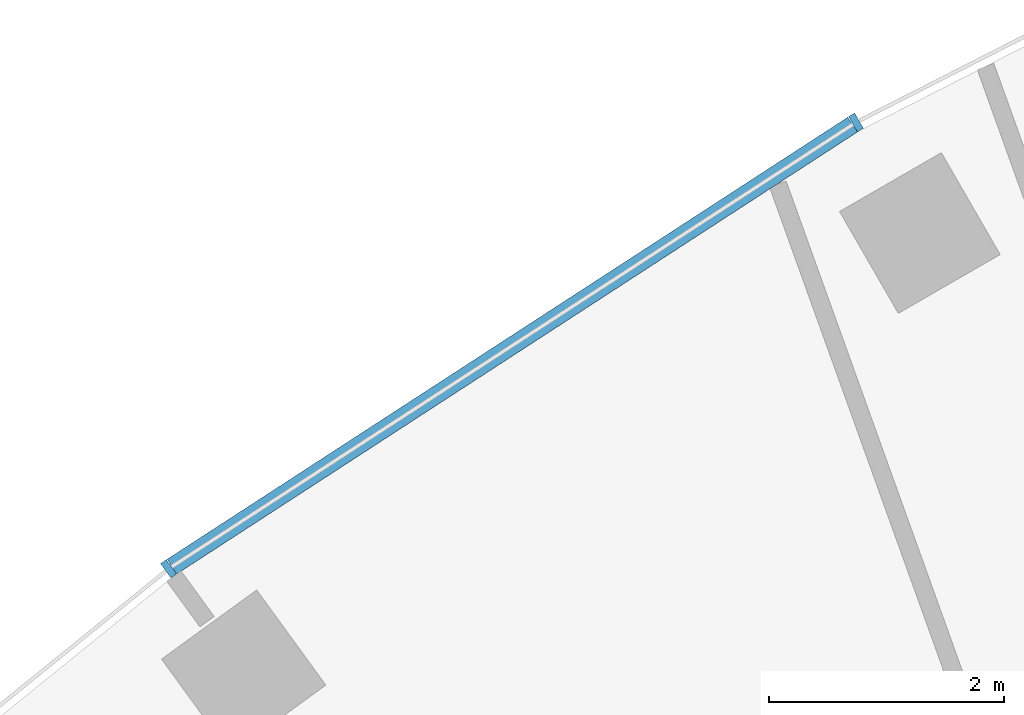
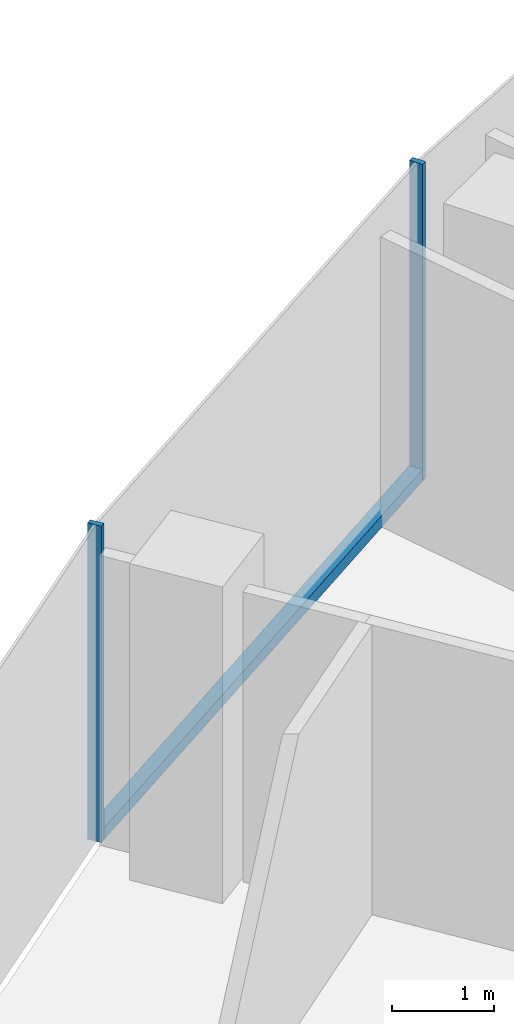
# One storey, part 4 of 20: 3 members, 1 element without a shape of its own.
"""IFC4 building model written with IfcOpenShell, lengths in metres."""

from ifc_helpers import new_model, si_unit, direction, frame, origin, origin_2d, place, context, subcontext, project, spatial, rectangle, extrude, material, layer, layer_set, material_profile, profile_set, type_object, element, aggregate, save


model = new_model("IFC4")

# Units and contexts
model_context = context("Model", 3, precision=1e-05, world=origin(), true_north=direction((0.0, 1.0)))
body_context = subcontext(model_context, "Body", "Model", "MODEL_VIEW")
ifc_project = project(units=[si_unit("LENGTHUNIT", "METRE"), si_unit("AREAUNIT", "SQUARE_METRE"), si_unit("VOLUMEUNIT", "CUBIC_METRE"), si_unit("PLANEANGLEUNIT", "RADIAN"), si_unit("MASSUNIT", "GRAM", prefix="KILO")], contexts=[model_context])

# Site, building, storey
site_placement = place(None, origin())
site = spatial("IfcSite", under=ifc_project, at=site_placement, CompositionType="ELEMENT")
building_placement = place(site_placement, origin())
building = spatial("IfcBuilding", under=site, at=building_placement, Name="Stone Belt Terrace Tower", CompositionType="ELEMENT")
storey_placement = place(building_placement, frame((0.0, 0.0, 170.60009765625)))
storey = spatial("IfcBuildingStorey", under=building, at=storey_placement, Name="L41", CompositionType="ELEMENT", Elevation=170.60009765625)

# Curtain wall, members
ifc_material = material(Name="Aluminium 6063-T6 anodised frame", Category="aluminium")
ifc_layer = layer(ifc_material, 0.14990234375)
ifc_layer_set = layer_set([ifc_layer], Name="CW-A unitised convex-face curtain wall")
curtain_wall_type = type_object("IfcCurtainWallType", Name="CW-A unitised convex-face curtain wall", PredefinedType="NOTDEFINED", material=ifc_layer_set)
curtain_wall_placement = place(storey_placement, origin())
curtain_wall = element("IfcCurtainWall", 1, at=curtain_wall_placement, inside=storey, type_object=curtain_wall_type, Name="CW-A convex face L41", PredefinedType="NOTDEFINED")
ifc_material_profile_1 = material_profile(ifc_material, rectangle(XDim=0.14990234375, YDim=0.06005859375, at=origin_2d()), Name="Aluminium 6063-T6 60x150")
ifc_profile_set_1 = profile_set([ifc_material_profile_1], Name="Aluminium 6063-T6 anodised frame")
member_type_1 = type_object("IfcMemberType", Name="CW-A mullion 60 x 150", PredefinedType="MULLION", material=ifc_profile_set_1)
member_1_placement = place(storey_placement, frame((-33.28759765625, 57.65576171875, 0.0), z_axis=(0.0, 0.0, 1.0), x_axis=(0.5, -0.866025403784, 0.0)))
member_1 = element("IfcMember", 2, at=member_1_placement, type_object=member_type_1, Name="CW-A mullion 13", PredefinedType="MULLION", context=body_context, shape_type="SweptSolid", body=[
    extrude(rectangle(XDim=0.14990234375, YDim=0.06005859375, at=origin_2d()), origin(), (0.0, 0.0, 1.0), 3.7998046875),
])
member_2_placement = place(storey_placement, frame((-39.1318359375, 53.8603515625, 0.0), z_axis=(0.0, 0.0, 1.0), x_axis=(0.587785252292, -0.809016994375, 0.0)))
member_2 = element("IfcMember", 3, at=member_2_placement, type_object=member_type_1, Name="CW-A mullion 14", PredefinedType="MULLION", context=body_context, shape_type="SweptSolid", body=[
    extrude(rectangle(XDim=0.14990234375, YDim=0.06005859375, at=origin_2d()), origin(), (0.0, 0.0, 1.0), 3.7998046875),
])
ifc_material_profile_2 = material_profile(ifc_material, rectangle(XDim=0.14990234375, YDim=0.139892578125, at=origin_2d()), Name="Aluminium 6063-T6 150x140")
ifc_profile_set_2 = profile_set([ifc_material_profile_2], Name="Aluminium 6063-T6 anodised frame")
member_type_2 = type_object("IfcMemberType", Name="CW-A transom 140 x 150", PredefinedType="USERDEFINED", material=ifc_profile_set_2)
member_3_placement = place(storey_placement, frame((-33.31591796875, 57.63720703125, 0.06982421875), z_axis=(-0.83868440714, -0.544617723931, 0.0), x_axis=(0.544617723931, -0.83868440714, 0.0)))
member_3 = element("IfcMember", 4, at=member_3_placement, type_object=member_type_2, Name="CW-A transom 13.1", ObjectType="TRANSOM", PredefinedType="USERDEFINED", context=body_context, shape_type="SweptSolid", body=[
    extrude(rectangle(XDim=0.14990234375, YDim=0.139892578125, at=origin_2d()), origin(), (0.0, 0.0, 1.0), 6.90087890625),
])
aggregate(curtain_wall, [member_1, member_2, member_3])

save(model, "model.ifc")
